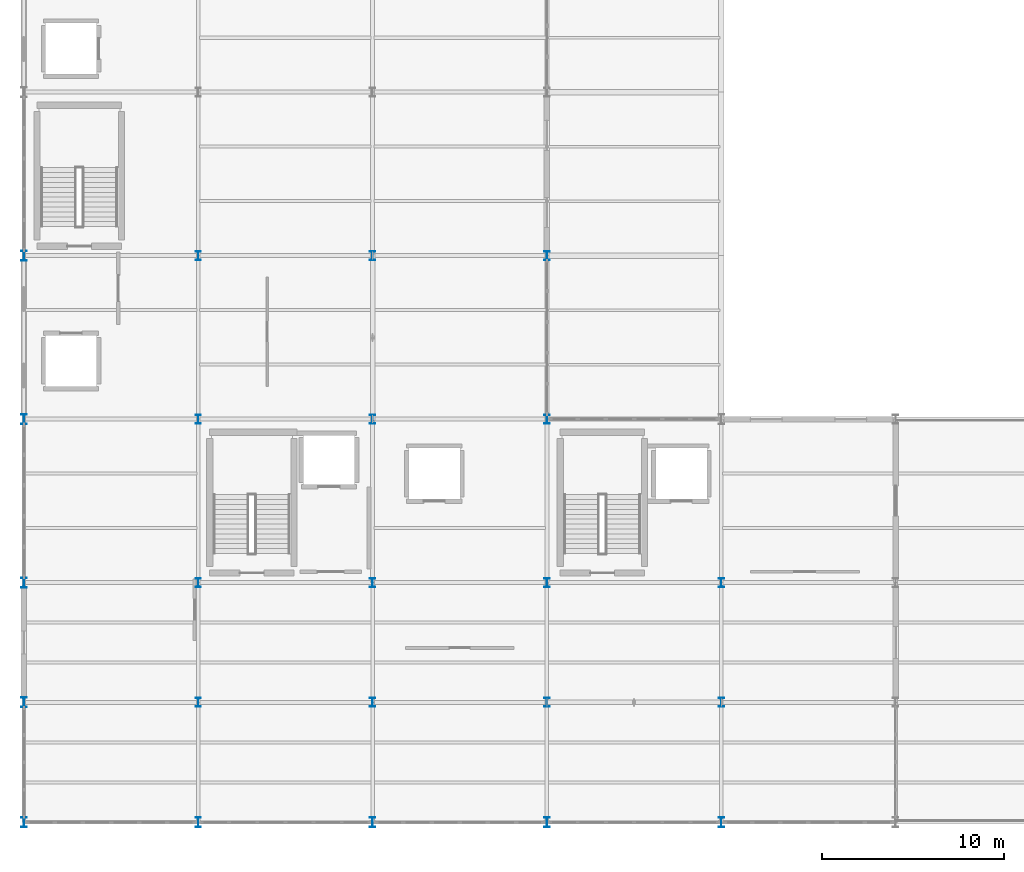
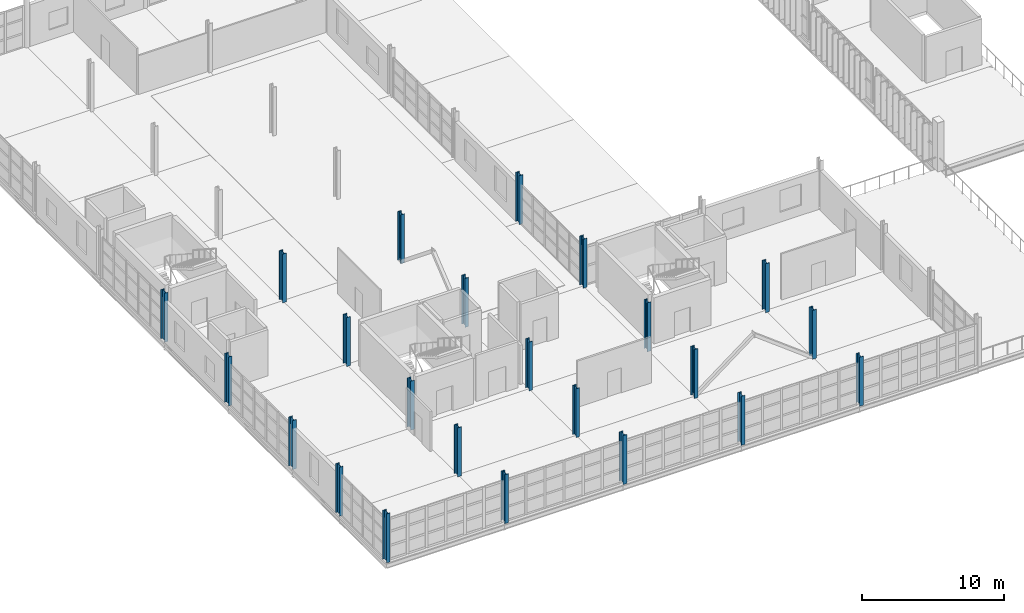
# One storey, part 1 of 82: 23 columns.
"""IFC4 building model written with IfcOpenShell, lengths in metres."""

from ifc_helpers import new_model, si_unit, direction, frame, origin, origin_2d, place, context, subcontext, project, spatial, i_section, extrude, material, material_profile, profile_set, type_object, element, save


model = new_model("IFC4")

# Units and contexts
model_context = context("Model", 3, precision=1e-05, world=origin(), true_north=direction((0.0, 1.0)))
body_context = subcontext(model_context, "Body", "Model", "MODEL_VIEW")
ifc_project = project(units=[si_unit("LENGTHUNIT", "METRE"), si_unit("AREAUNIT", "SQUARE_METRE"), si_unit("VOLUMEUNIT", "CUBIC_METRE"), si_unit("PLANEANGLEUNIT", "RADIAN"), si_unit("MASSUNIT", "GRAM", prefix="KILO")], contexts=[model_context])

# Site, building, storey
site_placement = place(None, origin())
site = spatial("IfcSite", under=ifc_project, at=site_placement, CompositionType="ELEMENT")
building_placement = place(site_placement, origin())
building = spatial("IfcBuilding", under=site, at=building_placement, Name="Zarnetskaya Central Station", CompositionType="ELEMENT")
storey_placement = place(building_placement, frame((0.0, 0.0, 10.199951171875)))
storey = spatial("IfcBuildingStorey", under=building, at=storey_placement, Name="L02", CompositionType="ELEMENT", Elevation=10.199951171875)

# Columns
ifc_material = material(Name="Steel S355", Category="steel")
ifc_material_profile_1 = material_profile(ifc_material, i_section(OverallWidth=0.300048828125, OverallDepth=0.550048828125, WebThickness=0.014892578125, FlangeThickness=0.029052734375, FilletRadius=0.027099609375, at=origin_2d()), Name="HEB 550")
ifc_profile_set_1 = profile_set([ifc_material_profile_1], Name="Steel S355")
column_type_1 = type_object("IfcColumnType", Name="COL-V5-MID-E", PredefinedType="COLUMN", material=ifc_profile_set_1)
for number, where, z_axis, x_axis, name in (
    (1, (0.0, 0.0, 0.0), (0.0, 0.0, 1.0), (1.0, 0.0, 0.0), "Column A1 L02"),
    (2, (0.0, 6.60009765625, 0.0), (0.0, 0.0, 1.0), (1.0, 0.0, 0.0), "Column A2 L02"),
    (3, (0.0, 13.199951171875, 0.0), (0.0, 0.0, 1.0), (1.0, 0.0, 0.0), "Column A3 L02"),
    (4, (0.0, 22.199951171875, 0.0), (0.0, 0.0, 1.0), (1.0, 0.0, 0.0), "Column A4 L02"),
    (5, (0.0, 31.199951171875, 0.0), (0.0, 0.0, 1.0), (1.0, 0.0, 0.0), "Column A5 L02"),
    (6, (9.60009765625, 0.0, 0.0), (0.0, 0.0, 1.0), (1.0, 0.0, 0.0), "Column B1 L02"),
    (7, (19.199951171875, 0.0, 0.0), (0.0, 0.0, 1.0), (1.0, 0.0, 0.0), "Column C1 L02"),
    (8, (28.800048828125, 0.0, 0.0), (0.0, 0.0, 1.0), (1.0, 0.0, 0.0), "Column D1 L02"),
    (9, (38.39990234375, 0.0, 0.0), (0.0, 0.0, 1.0), (1.0, 0.0, 0.0), "Column E1 L02"),
):
    element("IfcColumn", number, at=place(storey_placement, frame(where, z_axis=z_axis, x_axis=x_axis)), inside=storey, type_object=column_type_1, Name=name, PredefinedType="COLUMN", context=body_context, shape_type="SweptSolid", body=[
        extrude(i_section(OverallWidth=0.300048828125, OverallDepth=0.550048828125, WebThickness=0.014892578125, FlangeThickness=0.029052734375, FilletRadius=0.027099609375, at=origin_2d()), origin(), (0.0, 0.0, 1.0), 4.199951171875),
    ])
ifc_material_profile_2 = material_profile(ifc_material, i_section(OverallWidth=0.300048828125, OverallDepth=0.5, WebThickness=0.014404296875, FlangeThickness=0.028076171875, FilletRadius=0.027099609375, at=origin_2d()), Name="HEB 500")
ifc_profile_set_2 = profile_set([ifc_material_profile_2], Name="Steel S355")
column_type_2 = type_object("IfcColumnType", Name="COL-V5-MID-I", PredefinedType="COLUMN", material=ifc_profile_set_2)
for number, where, z_axis, x_axis, name in (
    (10, (9.60009765625, 6.60009765625, 0.0), (0.0, 0.0, 1.0), (1.0, 0.0, 0.0), "Column B2 L02"),
    (11, (9.60009765625, 13.199951171875, 0.0), (0.0, 0.0, 1.0), (1.0, 0.0, 0.0), "Column B3 L02"),
    (12, (9.60009765625, 22.199951171875, 0.0), (0.0, 0.0, 1.0), (1.0, 0.0, 0.0), "Column B4 L02"),
    (13, (9.60009765625, 31.199951171875, 0.0), (0.0, 0.0, 1.0), (1.0, 0.0, 0.0), "Column B5 L02"),
    (14, (19.199951171875, 6.60009765625, 0.0), (0.0, 0.0, 1.0), (1.0, 0.0, 0.0), "Column C2 L02"),
    (15, (19.199951171875, 13.199951171875, 0.0), (0.0, 0.0, 1.0), (1.0, 0.0, 0.0), "Column C3 L02"),
    (16, (19.199951171875, 22.199951171875, 0.0), (0.0, 0.0, 1.0), (1.0, 0.0, 0.0), "Column C4 L02"),
    (17, (19.199951171875, 31.199951171875, 0.0), (0.0, 0.0, 1.0), (1.0, 0.0, 0.0), "Column C5 L02"),
    (18, (28.800048828125, 6.60009765625, 0.0), (0.0, 0.0, 1.0), (1.0, 0.0, 0.0), "Column D2 L02"),
    (19, (28.800048828125, 13.199951171875, 0.0), (0.0, 0.0, 1.0), (1.0, 0.0, 0.0), "Column D3 L02"),
    (20, (28.800048828125, 22.199951171875, 0.0), (0.0, 0.0, 1.0), (1.0, 0.0, 0.0), "Column D4 L02"),
    (21, (28.800048828125, 31.199951171875, 0.0), (0.0, 0.0, 1.0), (1.0, 0.0, 0.0), "Column D5 L02"),
    (22, (38.39990234375, 6.60009765625, 0.0), (0.0, 0.0, 1.0), (1.0, 0.0, 0.0), "Column E2 L02"),
    (23, (38.39990234375, 13.199951171875, 0.0), (0.0, 0.0, 1.0), (1.0, 0.0, 0.0), "Column E3 L02"),
):
    element("IfcColumn", number, at=place(storey_placement, frame(where, z_axis=z_axis, x_axis=x_axis)), inside=storey, type_object=column_type_2, Name=name, PredefinedType="COLUMN", context=body_context, shape_type="SweptSolid", body=[
        extrude(i_section(OverallWidth=0.300048828125, OverallDepth=0.5, WebThickness=0.014404296875, FlangeThickness=0.028076171875, FilletRadius=0.027099609375, at=origin_2d()), origin(), (0.0, 0.0, 1.0), 4.199951171875),
    ])

save(model, "model.ifc")
